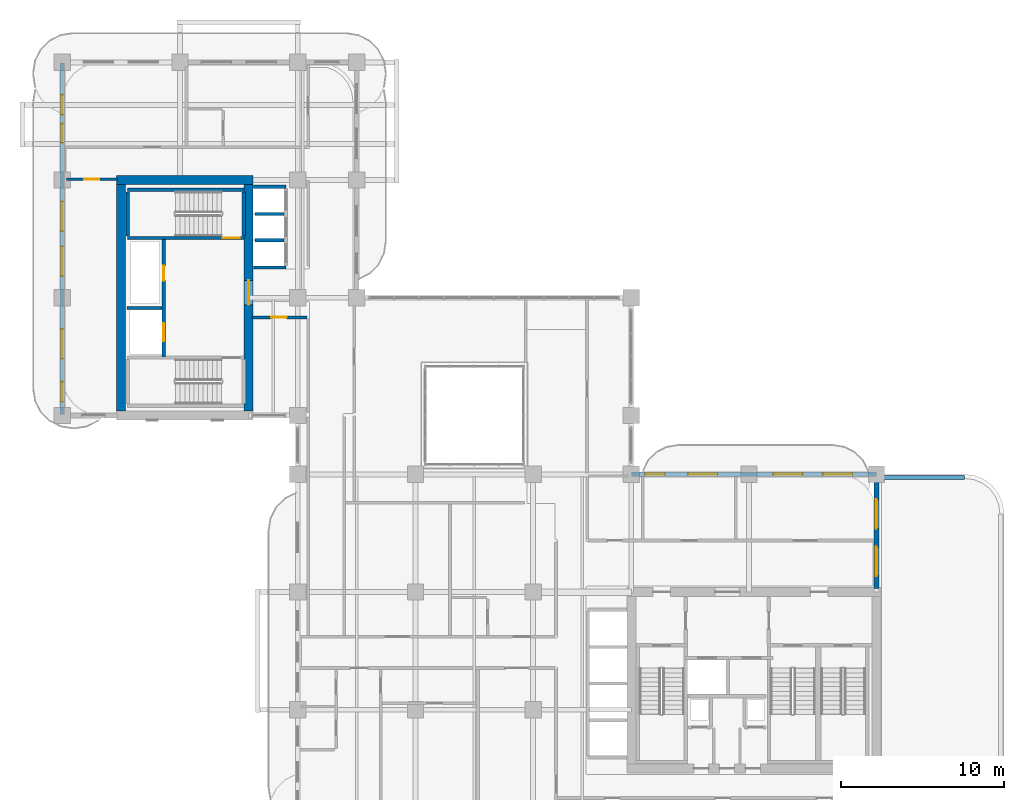
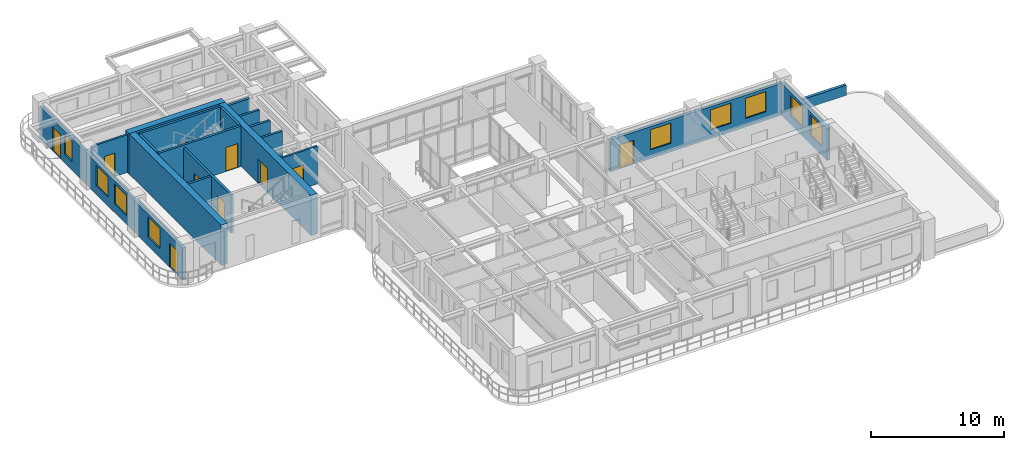
# One storey, part 14 of 20: 19 walls, 9 doors, 9 windows, 18 openings.
"""IFC4 building model written with IfcOpenShell, lengths in metres."""

from ifc_helpers import new_model, si_unit, derived_unit, direction, frame, frame_2d, origin, place, context, subcontext, project, spatial, rectangle, extrude, source, transform, mapped, material, layer, layer_set, type_object, type_shapes, element, fill, save


model = new_model("IFC4")

# Units and contexts
model_context = context("Model", 3, precision=1e-05, world=origin(), true_north=direction((0.0, 1.0)))
body_context = subcontext(model_context, "Body", "Model", "MODEL_VIEW")
ifc_project = project(units=[si_unit("LENGTHUNIT", "METRE"), si_unit("AREAUNIT", "SQUARE_METRE"), si_unit("VOLUMEUNIT", "CUBIC_METRE"), si_unit("PLANEANGLEUNIT", "RADIAN"), si_unit("MASSUNIT", "GRAM", prefix="KILO"), si_unit("THERMODYNAMICTEMPERATUREUNIT", "KELVIN"), si_unit("POWERUNIT", "WATT"), derived_unit("THERMALTRANSMITTANCEUNIT", [(si_unit("POWERUNIT", "WATT"), 1), (si_unit("AREAUNIT", "SQUARE_METRE"), -1), (si_unit("THERMODYNAMICTEMPERATUREUNIT", "KELVIN"), -1)])], contexts=[model_context])

# Site, building, storey
site_placement = place(None, origin())
site = spatial("IfcSite", under=ifc_project, at=site_placement, CompositionType="ELEMENT")
building_placement = place(site_placement, origin())
building = spatial("IfcBuilding", under=site, at=building_placement, Name="Zahravan Archway Hotel and Residences", CompositionType="ELEMENT")
storey_placement = place(building_placement, frame((0.0, 0.0, 111.800048828125)))
storey = spatial("IfcBuildingStorey", under=building, at=storey_placement, Name="L27", CompositionType="ELEMENT", Elevation=111.800048828125)

# Walls
ifc_material_1 = material(Name="Concrete C70/85", Category="concrete")
ifc_layer_1 = layer(ifc_material_1, 0.550048828125, Name="Concrete C70/85", Category="concrete")
ifc_layer_set_1 = layer_set([ifc_layer_1], Name="Concrete C70/85")
wall_type_1 = type_object("IfcWallType", Name="CW-CORE-550", PredefinedType="SHEAR", material=ifc_layer_set_1)
wall_1_placement = place(storey_placement, frame((3.324951171875, 39.60009765625, 0.0), z_axis=(0.0, 0.0, 1.0), x_axis=(1.0, 0.0, 0.0)))
element("IfcWall", 1, at=wall_1_placement, inside=storey, type_object=wall_type_1, Name="L27 Core B Shear N Wall 550 mm", PredefinedType="SHEAR", context=body_context, shape_type="SweptSolid", body=[
    extrude(rectangle(XDim=8.35009765625, YDim=0.550048828125, at=frame_2d((4.175048828125, 0.0))), origin(), (0.0, 0.0, 1.0), 3.699951171875),
])
wall_2_placement = place(storey_placement, frame((3.60009765625, 25.47509765625, 0.0), z_axis=(0.0, 0.0, 1.0), x_axis=(0.0, 1.0, 0.0)))
element("IfcWall", 2, at=wall_2_placement, inside=storey, type_object=wall_type_1, Name="L27 Core B Shear W Wall 550 mm", PredefinedType="SHEAR", context=body_context, shape_type="SweptSolid", body=[
    extrude(rectangle(XDim=13.849853515625, YDim=0.550048828125, at=frame_2d((6.9248046875, 0.0))), origin(), (0.0, 0.0, 1.0), 3.699951171875),
])

# Wall, opening, door
wall_3_placement = place(storey_placement, frame((11.39990234375, 25.47509765625, 0.0), z_axis=(0.0, 0.0, 1.0), x_axis=(0.0, 1.0, 0.0)))
wall_3 = element("IfcWall", 3, at=wall_3_placement, inside=storey, type_object=wall_type_1, Name="L27 Core B Shear E Wall 550 mm", PredefinedType="SHEAR", context=body_context, shape_type="SweptSolid", body=[
    extrude(rectangle(XDim=13.849853515625, YDim=0.550048828125, at=frame_2d((6.9248046875, 0.0))), origin(), (0.0, 0.0, 1.0), 3.699951171875),
])
opening_1_placement = place(wall_3_placement, frame((6.4951171875, 0.0, 0.0)))
opening_1 = element("IfcOpeningElement", 4, at=opening_1_placement, cuts=wall_3, Name="Opening FD-L1", PredefinedType="OPENING", context=body_context, shape_type="SweptSolid", body=[
    extrude(rectangle(XDim=1.5, YDim=2.199951171875, at=frame_2d((0.75, 1.10009765625))), frame((0.0, 0.28515625, 0.0), z_axis=(0.0, -1.0, 0.0), x_axis=(1.0, 0.0, 0.0)), (0.0, 0.0, 1.0), 0.570068359375),
])
ifc_material_2 = material(Name="Fire-Rated Painted Steel", Category="steel")
door_type_1 = type_object("IfcDoorType", Name="FD-LOBBY-1500", OperationType="DOUBLE_DOOR_SINGLE_SWING", PredefinedType="DOOR", material=ifc_material_2)
shared_shape_1 = source(origin(), body_context, "Body", "SweptSolid", [
    extrude(rectangle(XDim=1.5, YDim=2.199951171875, at=frame_2d((0.75, 1.10009765625))), frame((0.0, 0.02490234375, 0.0), z_axis=(0.0, -1.0, 0.0), x_axis=(1.0, 0.0, 0.0)), (0.0, 0.0, 1.0), 0.050048828125),
])
type_shapes(door_type_1, [shared_shape_1])
door_1_placement = place(opening_1_placement, origin())
door_1 = element("IfcDoor", 5, at=door_1_placement, inside=storey, type_object=door_type_1, Name="L27 Core B FSAE Lobby Door", OperationType="DOUBLE_DOOR_SINGLE_SWING", OverallHeight=2.199951171875, OverallWidth=1.5, PredefinedType="DOOR", context=body_context, shape_type="MappedRepresentation", body=[
    mapped(shared_shape_1, transform((0.0, 0.0, 0.0), scale=1.0)),
])
fill(opening_1, door_1)

# Wall, openings, windows
ifc_material_3 = material(Name="Honed Red-Ochre Sandstone & Insulated Block", Category="masonry")
ifc_layer_2 = layer(ifc_material_3, 0.280029296875, Name="Honed Red-Ochre Sandstone & Insulated Block", Category="masonry")
ifc_layer_set_2 = layer_set([ifc_layer_2], Name="Honed Red-Ochre Sandstone & Insulated Block")
wall_type_2 = type_object("IfcWallType", Name="EW-LOG-280", PredefinedType="SOLIDWALL", material=ifc_layer_set_2)
wall_4_placement = place(storey_placement, frame((49.800048828125, 14.6201171875, 0.0), z_axis=(0.0, 0.0, 1.0), x_axis=(0.0, 1.0, 0.0)))
wall_4 = element("IfcWall", 6, at=wall_4_placement, inside=storey, type_object=wall_type_2, Name="L27 Exterior Sandstone Wall WA-EN", PredefinedType="SOLIDWALL", context=body_context, shape_type="SweptSolid", body=[
    extrude(rectangle(XDim=6.929931640625, YDim=0.280029296875, at=frame_2d((3.46484375, 0.0))), origin(), (0.0, 0.0, 1.0), 2.93505859375),
])
opening_2_placement = place(wall_4_placement, frame((0.7451171875, 0.0, 0.800048828125)))
opening_2 = element("IfcOpeningElement", 7, at=opening_2_placement, cuts=wall_4, Name="Opening W-02", PredefinedType="OPENING", context=body_context, shape_type="SweptSolid", body=[
    extrude(rectangle(XDim=1.800048828125, YDim=1.85009765625, at=frame_2d((0.89990234375, 0.925048828125))), frame((0.0, 0.14990234375, 0.0), z_axis=(0.0, -1.0, 0.0), x_axis=(1.0, 0.0, 0.0)), (0.0, 0.0, 1.0), 0.300048828125),
])
opening_3_placement = place(wall_4_placement, frame((3.658935546875, 0.0, 0.800048828125)))
opening_3 = element("IfcOpeningElement", 8, at=opening_3_placement, cuts=wall_4, Name="Opening W-02", PredefinedType="OPENING", context=body_context, shape_type="SweptSolid", body=[
    extrude(rectangle(XDim=1.800048828125, YDim=1.85009765625, at=frame_2d((0.89990234375, 0.925048828125))), frame((0.0, 0.14990234375, 0.0), z_axis=(0.0, -1.0, 0.0), x_axis=(1.0, 0.0, 0.0)), (0.0, 0.0, 1.0), 0.300048828125),
])
ifc_material_4 = material(Name="Bronze-Anodized Thermal-Break Aluminium & Low-E Glass", Category="aluminium")
window_type_1 = type_object("IfcWindowType", Name="WIN-TWR-1800", PartitioningType="DOUBLE_PANEL_VERTICAL", PredefinedType="WINDOW", material=ifc_material_4)
shared_shape_2 = source(origin(), body_context, "Body", "SweptSolid", [
    extrude(rectangle(XDim=1.800048828125, YDim=1.85009765625, at=frame_2d((0.89990234375, 0.925048828125))), frame((0.0, 0.030029296875, 0.0), z_axis=(0.0, -1.0, 0.0), x_axis=(1.0, 0.0, 0.0)), (0.0, 0.0, 1.0), 0.06005859375),
])
type_shapes(window_type_1, [shared_shape_2])
window_1_placement = place(opening_2_placement, origin())
window_1 = element("IfcWindow", 9, at=window_1_placement, inside=storey, type_object=window_type_1, Name="L27 Loggia Window 10", OverallHeight=1.85009765625, OverallWidth=1.800048828125, PartitioningType="DOUBLE_PANEL_VERTICAL", PredefinedType="WINDOW", context=body_context, shape_type="MappedRepresentation", body=[
    mapped(shared_shape_2, transform((0.0, 0.0, 0.0), scale=1.0)),
])
fill(opening_2, window_1)
window_2_placement = place(opening_3_placement, origin())
window_2 = element("IfcWindow", 10, at=window_2_placement, inside=storey, type_object=window_type_1, Name="L27 Loggia Window 11", OverallHeight=1.85009765625, OverallWidth=1.800048828125, PartitioningType="DOUBLE_PANEL_VERTICAL", PredefinedType="WINDOW", context=body_context, shape_type="MappedRepresentation", body=[
    mapped(shared_shape_2, transform((0.0, 0.0, 0.0), scale=1.0)),
])
fill(opening_3, window_2)

# Wall, openings, door, windows
wall_5_placement = place(storey_placement, frame((34.800048828125, 21.60009765625, 0.0), z_axis=(0.0, 0.0, 1.0), x_axis=(1.0, 0.0, 0.0)))
wall_5 = element("IfcWall", 11, at=wall_5_placement, inside=storey, type_object=wall_type_2, Name="L27 Exterior Sandstone Wall WA-NE", PredefinedType="SOLIDWALL", context=body_context, shape_type="SweptSolid", body=[
    extrude(rectangle(XDim=15.0, YDim=0.280029296875, at=frame_2d((7.5, 0.0))), origin(), (0.0, 0.0, 1.0), 2.93505859375),
])
opening_4_placement = place(wall_5_placement, frame((0.85009765625, 0.0, 0.0)))
opening_4 = element("IfcOpeningElement", 12, at=opening_4_placement, cuts=wall_5, Name="Opening ED-BL1", PredefinedType="OPENING", context=body_context, shape_type="SweptSolid", body=[
    extrude(rectangle(XDim=1.199951171875, YDim=2.199951171875, at=frame_2d((0.60009765625, 1.10009765625))), frame((0.0, 0.14990234375, 0.0), z_axis=(0.0, -1.0, 0.0), x_axis=(1.0, 0.0, 0.0)), (0.0, 0.0, 1.0), 0.300048828125),
])
opening_5_placement = place(wall_5_placement, frame((3.470947265625, 0.0, 0.800048828125)))
opening_5 = element("IfcOpeningElement", 13, at=opening_5_placement, cuts=wall_5, Name="Opening W-02", PredefinedType="OPENING", context=body_context, shape_type="SweptSolid", body=[
    extrude(rectangle(XDim=1.800048828125, YDim=1.85009765625, at=frame_2d((0.89990234375, 0.925048828125))), frame((0.0, 0.14990234375, 0.0), z_axis=(0.0, -1.0, 0.0), x_axis=(1.0, 0.0, 0.0)), (0.0, 0.0, 1.0), 0.300048828125),
])
opening_6_placement = place(wall_5_placement, frame((8.675048828125, 0.0, 0.800048828125)))
opening_6 = element("IfcOpeningElement", 14, at=opening_6_placement, cuts=wall_5, Name="Opening W-02", PredefinedType="OPENING", context=body_context, shape_type="SweptSolid", body=[
    extrude(rectangle(XDim=1.800048828125, YDim=1.85009765625, at=frame_2d((0.89990234375, 0.925048828125))), frame((0.0, 0.14990234375, 0.0), z_axis=(0.0, -1.0, 0.0), x_axis=(1.0, 0.0, 0.0)), (0.0, 0.0, 1.0), 0.300048828125),
])
opening_7_placement = place(wall_5_placement, frame((11.72509765625, 0.0, 0.800048828125)))
opening_7 = element("IfcOpeningElement", 15, at=opening_7_placement, cuts=wall_5, Name="Opening W-02", PredefinedType="OPENING", context=body_context, shape_type="SweptSolid", body=[
    extrude(rectangle(XDim=1.800048828125, YDim=1.85009765625, at=frame_2d((0.89990234375, 0.925048828125))), frame((0.0, 0.14990234375, 0.0), z_axis=(0.0, -1.0, 0.0), x_axis=(1.0, 0.0, 0.0)), (0.0, 0.0, 1.0), 0.300048828125),
])
ifc_material_5 = material(Name="Bronze-Anodized Glazed Aluminium", Category="aluminium")
door_type_2 = type_object("IfcDoorType", Name="ED-BALC-1200", OperationType="SLIDING_TO_LEFT", PredefinedType="DOOR", material=ifc_material_5)
shared_shape_3 = source(origin(), body_context, "Body", "SweptSolid", [
    extrude(rectangle(XDim=1.199951171875, YDim=2.199951171875, at=frame_2d((0.60009765625, 1.10009765625))), frame((0.0, 0.02490234375, 0.0), z_axis=(0.0, -1.0, 0.0), x_axis=(1.0, 0.0, 0.0)), (0.0, 0.0, 1.0), 0.050048828125),
])
type_shapes(door_type_2, [shared_shape_3])
door_2_placement = place(opening_4_placement, origin())
door_2 = element("IfcDoor", 16, at=door_2_placement, inside=storey, type_object=door_type_2, Name="L27 Outdoor Access Sliding Door (SLB-BAL-L27-NA)", OperationType="SLIDING_TO_LEFT", OverallHeight=2.199951171875, OverallWidth=1.199951171875, PredefinedType="DOOR", context=body_context, shape_type="MappedRepresentation", body=[
    mapped(shared_shape_3, transform((0.0, 0.0, 0.0), scale=1.0)),
])
fill(opening_4, door_2)
window_3_placement = place(opening_5_placement, origin())
window_3 = element("IfcWindow", 17, at=window_3_placement, inside=storey, type_object=window_type_1, Name="L27 Loggia Window 12", OverallHeight=1.85009765625, OverallWidth=1.800048828125, PartitioningType="DOUBLE_PANEL_VERTICAL", PredefinedType="WINDOW", context=body_context, shape_type="MappedRepresentation", body=[
    mapped(shared_shape_2, transform((0.0, 0.0, 0.0), scale=1.0)),
])
fill(opening_5, window_3)
window_4_placement = place(opening_6_placement, origin())
window_4 = element("IfcWindow", 18, at=window_4_placement, inside=storey, type_object=window_type_1, Name="L27 Loggia Window 13", OverallHeight=1.85009765625, OverallWidth=1.800048828125, PartitioningType="DOUBLE_PANEL_VERTICAL", PredefinedType="WINDOW", context=body_context, shape_type="MappedRepresentation", body=[
    mapped(shared_shape_2, transform((0.0, 0.0, 0.0), scale=1.0)),
])
fill(opening_6, window_4)
window_5_placement = place(opening_7_placement, origin())
window_5 = element("IfcWindow", 19, at=window_5_placement, inside=storey, type_object=window_type_1, Name="L27 Loggia Window 14", OverallHeight=1.85009765625, OverallWidth=1.800048828125, PartitioningType="DOUBLE_PANEL_VERTICAL", PredefinedType="WINDOW", context=body_context, shape_type="MappedRepresentation", body=[
    mapped(shared_shape_2, transform((0.0, 0.0, 0.0), scale=1.0)),
])
fill(opening_7, window_5)

# Wall, openings, doors, windows
wall_6_placement = place(storey_placement, frame((0.0, 25.25, 0.0), z_axis=(0.0, 0.0, 1.0), x_axis=(0.0, 1.0, 0.0)))
wall_6 = element("IfcWall", 20, at=wall_6_placement, inside=storey, type_object=wall_type_2, Name="L27 Exterior Sandstone Wall WB-W", PredefinedType="SOLIDWALL", context=body_context, shape_type="SweptSolid", body=[
    extrude(rectangle(XDim=21.5, YDim=0.280029296875, at=frame_2d((10.75, 0.0))), origin(), (0.0, 0.0, 1.0), 2.93505859375),
])
opening_8_placement = place(wall_6_placement, frame((18.35693359375, 0.0, 0.0)))
opening_8 = element("IfcOpeningElement", 21, at=opening_8_placement, cuts=wall_6, Name="Opening ED-BL1", PredefinedType="OPENING", context=body_context, shape_type="SweptSolid", body=[
    extrude(rectangle(XDim=1.199951171875, YDim=2.199951171875, at=frame_2d((0.60009765625, 1.10009765625))), frame((0.0, 0.14990234375, 0.0), z_axis=(0.0, -1.0, 0.0), x_axis=(1.0, 0.0, 0.0)), (0.0, 0.0, 1.0), 0.300048828125),
])
opening_9_placement = place(wall_6_placement, frame((0.800048828125, 0.0, 0.0)))
opening_9 = element("IfcOpeningElement", 22, at=opening_9_placement, cuts=wall_6, Name="Opening ED-BL1", PredefinedType="OPENING", context=body_context, shape_type="SweptSolid", body=[
    extrude(rectangle(XDim=1.199951171875, YDim=2.199951171875, at=frame_2d((0.60009765625, 1.10009765625))), frame((0.0, 0.14990234375, 0.0), z_axis=(0.0, -1.0, 0.0), x_axis=(1.0, 0.0, 0.0)), (0.0, 0.0, 1.0), 0.300048828125),
])
opening_10_placement = place(wall_6_placement, frame((3.425048828125, 0.0, 0.800048828125)))
opening_10 = element("IfcOpeningElement", 23, at=opening_10_placement, cuts=wall_6, Name="Opening W-02", PredefinedType="OPENING", context=body_context, shape_type="SweptSolid", body=[
    extrude(rectangle(XDim=1.800048828125, YDim=1.85009765625, at=frame_2d((0.89990234375, 0.925048828125))), frame((0.0, 0.14990234375, 0.0), z_axis=(0.0, -1.0, 0.0), x_axis=(1.0, 0.0, 0.0)), (0.0, 0.0, 1.0), 0.300048828125),
])
opening_11_placement = place(wall_6_placement, frame((8.47509765625, 0.0, 0.800048828125)))
opening_11 = element("IfcOpeningElement", 24, at=opening_11_placement, cuts=wall_6, Name="Opening W-02", PredefinedType="OPENING", context=body_context, shape_type="SweptSolid", body=[
    extrude(rectangle(XDim=1.800048828125, YDim=1.85009765625, at=frame_2d((0.89990234375, 0.925048828125))), frame((0.0, 0.14990234375, 0.0), z_axis=(0.0, -1.0, 0.0), x_axis=(1.0, 0.0, 0.0)), (0.0, 0.0, 1.0), 0.300048828125),
])
opening_12_placement = place(wall_6_placement, frame((11.22509765625, 0.0, 0.800048828125)))
opening_12 = element("IfcOpeningElement", 25, at=opening_12_placement, cuts=wall_6, Name="Opening W-02", PredefinedType="OPENING", context=body_context, shape_type="SweptSolid", body=[
    extrude(rectangle(XDim=1.800048828125, YDim=1.85009765625, at=frame_2d((0.89990234375, 0.925048828125))), frame((0.0, 0.14990234375, 0.0), z_axis=(0.0, -1.0, 0.0), x_axis=(1.0, 0.0, 0.0)), (0.0, 0.0, 1.0), 0.300048828125),
])
opening_13_placement = place(wall_6_placement, frame((16.632080078125, 0.0, 0.800048828125)))
opening_13 = element("IfcOpeningElement", 26, at=opening_13_placement, cuts=wall_6, Name="Opening W-05", PredefinedType="OPENING", context=body_context, shape_type="SweptSolid", body=[
    extrude(rectangle(XDim=1.14990234375, YDim=1.800048828125, at=frame_2d((0.574951171875, 0.89990234375))), frame((0.0, 0.14990234375, 0.0), z_axis=(0.0, -1.0, 0.0), x_axis=(1.0, 0.0, 0.0)), (0.0, 0.0, 1.0), 0.300048828125),
])
door_3_placement = place(opening_8_placement, origin())
door_3 = element("IfcDoor", 27, at=door_3_placement, inside=storey, type_object=door_type_2, Name="L27 Outdoor Access Sliding Door (SLB-BAL-L27-NB)", OperationType="SLIDING_TO_LEFT", OverallHeight=2.199951171875, OverallWidth=1.199951171875, PredefinedType="DOOR", context=body_context, shape_type="MappedRepresentation", body=[
    mapped(shared_shape_3, transform((0.0, 0.0, 0.0), scale=1.0)),
])
fill(opening_8, door_3)
door_4_placement = place(opening_9_placement, origin())
door_4 = element("IfcDoor", 28, at=door_4_placement, inside=storey, type_object=door_type_2, Name="L27 Outdoor Access Sliding Door (SLB-BAL-L27-WB)", OperationType="SLIDING_TO_LEFT", OverallHeight=2.199951171875, OverallWidth=1.199951171875, PredefinedType="DOOR", context=body_context, shape_type="MappedRepresentation", body=[
    mapped(shared_shape_3, transform((0.0, 0.0, 0.0), scale=1.0)),
])
fill(opening_9, door_4)
window_6_placement = place(opening_10_placement, origin())
window_6 = element("IfcWindow", 29, at=window_6_placement, inside=storey, type_object=window_type_1, Name="L27 Loggia Window 22", OverallHeight=1.85009765625, OverallWidth=1.800048828125, PartitioningType="DOUBLE_PANEL_VERTICAL", PredefinedType="WINDOW", context=body_context, shape_type="MappedRepresentation", body=[
    mapped(shared_shape_2, transform((0.0, 0.0, 0.0), scale=1.0)),
])
fill(opening_10, window_6)
window_7_placement = place(opening_11_placement, origin())
window_7 = element("IfcWindow", 30, at=window_7_placement, inside=storey, type_object=window_type_1, Name="L27 Loggia Window 23", OverallHeight=1.85009765625, OverallWidth=1.800048828125, PartitioningType="DOUBLE_PANEL_VERTICAL", PredefinedType="WINDOW", context=body_context, shape_type="MappedRepresentation", body=[
    mapped(shared_shape_2, transform((0.0, 0.0, 0.0), scale=1.0)),
])
fill(opening_11, window_7)
window_8_placement = place(opening_12_placement, origin())
window_8 = element("IfcWindow", 31, at=window_8_placement, inside=storey, type_object=window_type_1, Name="L27 Loggia Window 24", OverallHeight=1.85009765625, OverallWidth=1.800048828125, PartitioningType="DOUBLE_PANEL_VERTICAL", PredefinedType="WINDOW", context=body_context, shape_type="MappedRepresentation", body=[
    mapped(shared_shape_2, transform((0.0, 0.0, 0.0), scale=1.0)),
])
fill(opening_12, window_8)
window_type_2 = type_object("IfcWindowType", Name="WIN-TWR-1150", PartitioningType="SINGLE_PANEL", PredefinedType="WINDOW", material=ifc_material_4)
shared_shape_4 = source(origin(), body_context, "Body", "SweptSolid", [
    extrude(rectangle(XDim=1.14990234375, YDim=1.800048828125, at=frame_2d((0.574951171875, 0.89990234375))), frame((0.0, 0.030029296875, 0.0), z_axis=(0.0, -1.0, 0.0), x_axis=(1.0, 0.0, 0.0)), (0.0, 0.0, 1.0), 0.06005859375),
])
type_shapes(window_type_2, [shared_shape_4])
window_9_placement = place(opening_13_placement, origin())
window_9 = element("IfcWindow", 32, at=window_9_placement, inside=storey, type_object=window_type_2, Name="L27 Loggia Window 25", OverallHeight=1.800048828125, OverallWidth=1.14990234375, PartitioningType="SINGLE_PANEL", PredefinedType="WINDOW", context=body_context, shape_type="MappedRepresentation", body=[
    mapped(shared_shape_4, transform((0.0, 0.0, 0.0), scale=1.0)),
])
fill(opening_13, window_9)

# Wall
ifc_material_6 = material(Name="Agra Buff Sandstone Coping Wall", Category="masonry")
ifc_layer_3 = layer(ifc_material_6, 0.25, Name="Agra Buff Sandstone Coping Wall", Category="masonry")
ifc_layer_set_3 = layer_set([ifc_layer_3], Name="Agra Buff Sandstone Coping Wall")
wall_type_3 = type_object("IfcWallType", Name="EW-PARA-250", PredefinedType="PARAPET", material=ifc_layer_set_3)
wall_7_placement = place(storey_placement, frame((50.06005859375, 21.39990234375, 0.0), z_axis=(0.0, 0.0, 1.0), x_axis=(1.0, 0.0, 0.0)))
element("IfcWall", 33, at=wall_7_placement, inside=storey, type_object=wall_type_3, Name="L27 Roof Coping Parapet 3", PredefinedType="PARAPET", context=body_context, shape_type="SweptSolid", body=[
    extrude(rectangle(XDim=5.126953125, YDim=0.25, at=frame_2d((2.5634765625, 0.0))), origin(), (0.0, 0.0, 1.0), 0.949951171875),
])

# Wall, openings, doors
ifc_material_7 = material(Name="Fire-Rated Gypsum & Concrete Block", Category="concrete")
ifc_layer_4 = layer(ifc_material_7, 0.199951171875, Name="Fire-Rated Gypsum & Concrete Block", Category="concrete")
ifc_layer_set_4 = layer_set([ifc_layer_4], Name="Fire-Rated Gypsum & Concrete Block")
wall_type_4 = type_object("IfcWallType", Name="PW-SHAFT-200", PredefinedType="PARTITIONING", material=ifc_layer_set_4)
wall_8_placement = place(storey_placement, frame((6.199951171875, 28.7900390625, 0.0), z_axis=(0.0, 0.0, 1.0), x_axis=(0.0, 1.0, 0.0)))
wall_8 = element("IfcWall", 34, at=wall_8_placement, inside=storey, type_object=wall_type_4, Name="L27 Partition CB-FL3E", PredefinedType="PARTITIONING", context=body_context, shape_type="SweptSolid", body=[
    extrude(rectangle(XDim=7.219970703125, YDim=0.199951171875, at=frame_2d((3.60986328125, 0.0))), origin(), (0.0, 0.0, 1.0), 3.449951171875),
])
opening_14_placement = place(wall_8_placement, frame((4.659912109375, 0.0, 0.0)))
opening_14 = element("IfcOpeningElement", 35, at=opening_14_placement, cuts=wall_8, Name="Opening FD-R1", PredefinedType="OPENING", context=body_context, shape_type="SweptSolid", body=[
    extrude(rectangle(XDim=0.89990234375, YDim=2.10009765625, at=frame_2d((0.449951171875, 1.050048828125))), frame((0.0, 0.10986328125, 0.0), z_axis=(0.0, -1.0, 0.0), x_axis=(1.0, 0.0, 0.0)), (0.0, 0.0, 1.0), 0.219970703125),
])
opening_15_placement = place(wall_8_placement, frame((0.9599609375, 0.0, 0.0)))
opening_15 = element("IfcOpeningElement", 36, at=opening_15_placement, cuts=wall_8, Name="Opening LD", PredefinedType="OPENING", context=body_context, shape_type="SweptSolid", body=[
    extrude(rectangle(XDim=1.10009765625, YDim=2.199951171875, at=frame_2d((0.550048828125, 1.10009765625))), frame((0.0, 0.10986328125, 0.0), z_axis=(0.0, -1.0, 0.0), x_axis=(1.0, 0.0, 0.0)), (0.0, 0.0, 1.0), 0.219970703125),
])
door_type_3 = type_object("IfcDoorType", Name="FD-RISER-900", OperationType="NOTDEFINED", PredefinedType="DOOR", material=ifc_material_2)
shared_shape_5 = source(origin(), body_context, "Body", "SweptSolid", [
    extrude(rectangle(XDim=0.89990234375, YDim=2.10009765625, at=frame_2d((0.449951171875, 1.050048828125))), frame((0.0, 0.02490234375, 0.0), z_axis=(0.0, -1.0, 0.0), x_axis=(1.0, 0.0, 0.0)), (0.0, 0.0, 1.0), 0.050048828125),
])
type_shapes(door_type_3, [shared_shape_5])
door_5_placement = place(opening_14_placement, origin())
door_5 = element("IfcDoor", 37, at=door_5_placement, inside=storey, type_object=door_type_3, Name="L27 Core B Riser Door", OperationType="SINGLE_SWING_RIGHT", OverallHeight=2.10009765625, OverallWidth=0.89990234375, PredefinedType="DOOR", context=body_context, shape_type="MappedRepresentation", body=[
    mapped(shared_shape_5, transform((0.0, 0.0, 0.0), scale=1.0)),
])
fill(opening_14, door_5)
ifc_material_8 = material(Name="Brushed Stainless Steel", Category="steel")
door_type_4 = type_object("IfcDoorType", Name="DR-LIFT-LD", OperationType="SLIDING_TO_LEFT", PredefinedType="DOOR", material=ifc_material_8)
shared_shape_6 = source(origin(), body_context, "Body", "SweptSolid", [
    extrude(rectangle(XDim=1.10009765625, YDim=2.199951171875, at=frame_2d((0.550048828125, 1.10009765625))), frame((0.0, 0.02490234375, 0.0), z_axis=(0.0, -1.0, 0.0), x_axis=(1.0, 0.0, 0.0)), (0.0, 0.0, 1.0), 0.050048828125),
])
type_shapes(door_type_4, [shared_shape_6])
door_6_placement = place(opening_15_placement, origin())
door_6 = element("IfcDoor", 38, at=door_6_placement, inside=storey, type_object=door_type_4, Name="L27 Lift FL-3 Sliding Landing Door", OperationType="SLIDING_TO_LEFT", OverallHeight=2.199951171875, OverallWidth=1.10009765625, PredefinedType="DOOR", context=body_context, shape_type="MappedRepresentation", body=[
    mapped(shared_shape_6, transform((0.0, 0.0, 0.0), scale=1.0)),
])
fill(opening_15, door_6)

# Walls
wall_9_placement = place(storey_placement, frame((3.9599609375, 31.780029296875, 0.0), z_axis=(0.0, 0.0, 1.0), x_axis=(1.0, 0.0, 0.0)))
element("IfcWall", 39, at=wall_9_placement, inside=storey, type_object=wall_type_4, Name="L27 Partition CB-FL3N", PredefinedType="PARTITIONING", context=body_context, shape_type="SweptSolid", body=[
    extrude(rectangle(XDim=2.130126953125, YDim=0.199951171875, at=frame_2d((1.06494140625, 0.0))), origin(), (0.0, 0.0, 1.0), 3.449951171875),
])
for number, where, z_axis, x_axis, name in (
    (40, (11.68505859375, 34.25, 0.0), (0.0, 0.0, 1.0), (1.0, 0.0, 0.0), "L27 Partition B2-S"),
    (41, (11.68505859375, 39.18994140625, 0.0), (0.0, 0.0, 1.0), (1.0, 0.0, 0.0), "L27 Partition B2-N"),
):
    element("IfcWall", number, at=place(storey_placement, frame(where, z_axis=z_axis, x_axis=x_axis)), inside=storey, type_object=wall_type_4, Name=name, PredefinedType="PARTITIONING", context=body_context, shape_type="SweptSolid", body=[
        extrude(rectangle(XDim=1.98486328125, YDim=0.199951171875, at=frame_2d((0.992431640625, 0.0))), origin(), (0.0, 0.0, 1.0), 3.449951171875),
    ])
for number, where, z_axis, x_axis, name in (
    (42, (11.784912109375, 35.919921875, 0.0), (0.0, 0.0, 1.0), (1.0, 0.0, 0.0), "L27 Partition B2-D"),
    (43, (11.784912109375, 37.52001953125, 0.0), (0.0, 0.0, 1.0), (1.0, 0.0, 0.0), "L27 Partition B2-D"),
):
    element("IfcWall", number, at=place(storey_placement, frame(where, z_axis=z_axis, x_axis=x_axis)), inside=storey, type_object=wall_type_4, Name=name, PredefinedType="PARTITIONING", context=body_context, shape_type="SweptSolid", body=[
        extrude(rectangle(XDim=1.78515625, YDim=0.199951171875, at=frame_2d((0.892578125, 0.0))), origin(), (0.0, 0.0, 1.0), 3.449951171875),
    ])

# Wall, opening, door
ifc_material_9 = material(Name="Acoustic Stud Partition")
ifc_layer_5 = layer(ifc_material_9, 0.169921875, Name="Acoustic Stud Partition")
ifc_layer_set_5 = layer_set([ifc_layer_5], Name="Acoustic Stud Partition")
wall_type_5 = type_object("IfcWallType", Name="PW-UNIT-170", PredefinedType="PARTITIONING", material=ifc_layer_set_5)
wall_10_placement = place(storey_placement, frame((0.239990234375, 39.64990234375, 0.0), z_axis=(0.0, 0.0, 1.0), x_axis=(1.0, 0.0, 0.0)))
wall_10 = element("IfcWall", 44, at=wall_10_placement, inside=storey, type_object=wall_type_5, Name="L27 Partition WBW-N", PredefinedType="PARTITIONING", context=body_context, shape_type="SweptSolid", body=[
    extrude(rectangle(XDim=3.1201171875, YDim=0.169921875, at=frame_2d((1.56005859375, 0.0))), origin(), (0.0, 0.0, 1.0), 3.449951171875),
])
opening_16_placement = place(wall_10_placement, frame((1.110107421875, 0.0, 0.0)))
opening_16 = element("IfcOpeningElement", 45, at=opening_16_placement, cuts=wall_10, Name="Opening D-I2", PredefinedType="OPENING", context=body_context, shape_type="SweptSolid", body=[
    extrude(rectangle(XDim=0.89990234375, YDim=2.14990234375, at=frame_2d((0.449951171875, 1.074951171875))), frame((0.0, 0.094970703125, 0.0), z_axis=(0.0, -1.0, 0.0), x_axis=(1.0, 0.0, 0.0)), (0.0, 0.0, 1.0), 0.18994140625),
])
ifc_material_10 = material(Name="Hardwood Veneer Timber", Category="wood")
door_type_5 = type_object("IfcDoorType", Name="ID-INT-900", OperationType="NOTDEFINED", PredefinedType="DOOR", material=ifc_material_10)
shared_shape_7 = source(origin(), body_context, "Body", "SweptSolid", [
    extrude(rectangle(XDim=0.89990234375, YDim=2.14990234375, at=frame_2d((0.449951171875, 1.074951171875))), frame((0.0, 0.02490234375, 0.0), z_axis=(0.0, -1.0, 0.0), x_axis=(1.0, 0.0, 0.0)), (0.0, 0.0, 1.0), 0.050048828125),
])
type_shapes(door_type_5, [shared_shape_7])
door_7_placement = place(opening_16_placement, origin())
door_7 = element("IfcDoor", 46, at=door_7_placement, inside=storey, type_object=door_type_5, Name="L27 West Loggia Salon Door", OperationType="SINGLE_SWING_RIGHT", OverallHeight=2.14990234375, OverallWidth=0.89990234375, PredefinedType="DOOR", context=body_context, shape_type="MappedRepresentation", body=[
    mapped(shared_shape_7, transform((0.0, 0.0, 0.0), scale=1.0)),
])
fill(opening_16, door_7)

wall_11_placement = place(storey_placement, frame((11.590087890625, 31.199951171875, 0.0), z_axis=(0.0, 0.0, 1.0), x_axis=(1.0, 0.0, 0.0)))
wall_11 = element("IfcWall", 47, at=wall_11_placement, inside=storey, type_object=wall_type_5, Name="L27 Partition FB1-N", PredefinedType="PARTITIONING", context=body_context, shape_type="SweptSolid", body=[
    extrude(rectangle(XDim=3.369873046875, YDim=0.169921875, at=frame_2d((1.68505859375, 0.0))), origin(), (0.0, 0.0, 1.0), 3.449951171875),
])
opening_17_placement = place(wall_11_placement, frame((1.18505859375, 0.0, 0.0)))
opening_17 = element("IfcOpeningElement", 48, at=opening_17_placement, cuts=wall_11, Name="Opening D-I1", PredefinedType="OPENING", context=body_context, shape_type="SweptSolid", body=[
    extrude(rectangle(XDim=0.949951171875, YDim=2.14990234375, at=frame_2d((0.47509765625, 1.074951171875))), frame((0.0, 0.094970703125, 0.0), z_axis=(0.0, -1.0, 0.0), x_axis=(1.0, 0.0, 0.0)), (0.0, 0.0, 1.0), 0.18994140625),
])
door_type_6 = type_object("IfcDoorType", Name="ID-INT-950", OperationType="NOTDEFINED", PredefinedType="DOOR", material=ifc_material_10)
shared_shape_8 = source(origin(), body_context, "Body", "SweptSolid", [
    extrude(rectangle(XDim=0.949951171875, YDim=2.14990234375, at=frame_2d((0.47509765625, 1.074951171875))), frame((0.0, 0.02490234375, 0.0), z_axis=(0.0, -1.0, 0.0), x_axis=(1.0, 0.0, 0.0)), (0.0, 0.0, 1.0), 0.050048828125),
])
type_shapes(door_type_6, [shared_shape_8])
door_8_placement = place(opening_17_placement, origin())
door_8 = element("IfcDoor", 49, at=door_8_placement, inside=storey, type_object=door_type_6, Name="L27 Freed Bank 1 Reading Salon Door", OperationType="SINGLE_SWING_LEFT", OverallHeight=2.14990234375, OverallWidth=0.949951171875, PredefinedType="DOOR", context=body_context, shape_type="MappedRepresentation", body=[
    mapped(shared_shape_8, transform((0.0, 0.0, 0.0), scale=1.0)),
])
fill(opening_17, door_8)

# Walls
ifc_material_11 = material(Name="Concrete C50/60", Category="concrete")
ifc_layer_6 = layer(ifc_material_11, 0.199951171875, Name="Concrete C50/60", Category="concrete")
ifc_layer_set_6 = layer_set([ifc_layer_6], Name="Concrete C50/60")
wall_type_6 = type_object("IfcWallType", Name="SW-STAIR-200", PredefinedType="SHEAR", material=ifc_layer_set_6)
wall_12_placement = place(storey_placement, frame((4.0, 39.0, 0.0), z_axis=(0.0, 0.0, 1.0), x_axis=(1.0, 0.0, 0.0)))
element("IfcWall", 50, at=wall_12_placement, inside=storey, type_object=wall_type_6, Name="L27 Stairwell RC Wall CB-SB2N", PredefinedType="SHEAR", context=body_context, shape_type="SweptSolid", body=[
    extrude(rectangle(XDim=7.10009765625, YDim=0.199951171875, at=frame_2d((3.550048828125, 0.0))), origin(), (0.0, 0.0, 1.0), 3.699951171875),
])
for number, where, z_axis, x_axis, name in (
    (51, (4.0, 36.179931640625, 0.0), (0.0, 0.0, 1.0), (0.0, 1.0, 0.0), "L27 Stairwell RC Wall CB-SB2W"),
    (52, (11.10009765625, 36.179931640625, 0.0), (0.0, 0.0, 1.0), (0.0, 1.0, 0.0), "L27 Stairwell RC Wall CB-SB2E"),
):
    element("IfcWall", number, at=place(storey_placement, frame(where, z_axis=z_axis, x_axis=x_axis)), inside=storey, type_object=wall_type_6, Name=name, PredefinedType="SHEAR", context=body_context, shape_type="SweptSolid", body=[
        extrude(rectangle(XDim=2.699951171875, YDim=0.199951171875, at=frame_2d((1.35009765625, 0.0))), origin(), (0.0, 0.0, 1.0), 3.699951171875),
    ])

# Wall, opening, door
wall_13_placement = place(storey_placement, frame((4.0, 36.06005859375, 0.0), z_axis=(0.0, 0.0, 1.0), x_axis=(1.0, 0.0, 0.0)))
wall_13 = element("IfcWall", 53, at=wall_13_placement, inside=storey, type_object=wall_type_6, Name="L27 Stairwell RC Wall CB-SB2S", PredefinedType="SHEAR", context=body_context, shape_type="SweptSolid", body=[
    extrude(rectangle(XDim=7.10009765625, YDim=0.199951171875, at=frame_2d((3.550048828125, 0.0))), origin(), (0.0, 0.0, 1.0), 3.699951171875),
])
opening_18_placement = place(wall_13_placement, frame((5.81494140625, 0.0, 0.0)))
opening_18 = element("IfcOpeningElement", 54, at=opening_18_placement, cuts=wall_13, Name="Opening FD-S1", PredefinedType="OPENING", context=body_context, shape_type="SweptSolid", body=[
    extrude(rectangle(XDim=1.050048828125, YDim=2.199951171875, at=frame_2d((0.52490234375, 1.10009765625))), frame((0.0, 0.10986328125, 0.0), z_axis=(0.0, -1.0, 0.0), x_axis=(1.0, 0.0, 0.0)), (0.0, 0.0, 1.0), 0.219970703125),
])
door_type_7 = type_object("IfcDoorType", Name="FD-STAIR-1100", OperationType="NOTDEFINED", PredefinedType="DOOR", material=ifc_material_2)
shared_shape_9 = source(origin(), body_context, "Body", "SweptSolid", [
    extrude(rectangle(XDim=1.050048828125, YDim=2.199951171875, at=frame_2d((0.52490234375, 1.10009765625))), frame((0.0, 0.02490234375, 0.0), z_axis=(0.0, -1.0, 0.0), x_axis=(1.0, 0.0, 0.0)), (0.0, 0.0, 1.0), 0.050048828125),
])
type_shapes(door_type_7, [shared_shape_9])
door_9_placement = place(opening_18_placement, origin())
door_9 = element("IfcDoor", 55, at=door_9_placement, inside=storey, type_object=door_type_7, Name="L27 Stair ST-B2 Door", OperationType="SINGLE_SWING_LEFT", OverallHeight=2.199951171875, OverallWidth=1.050048828125, PredefinedType="DOOR", context=body_context, shape_type="MappedRepresentation", body=[
    mapped(shared_shape_9, transform((0.0, 0.0, 0.0), scale=1.0)),
])
fill(opening_18, door_9)

save(model, "model.ifc")
